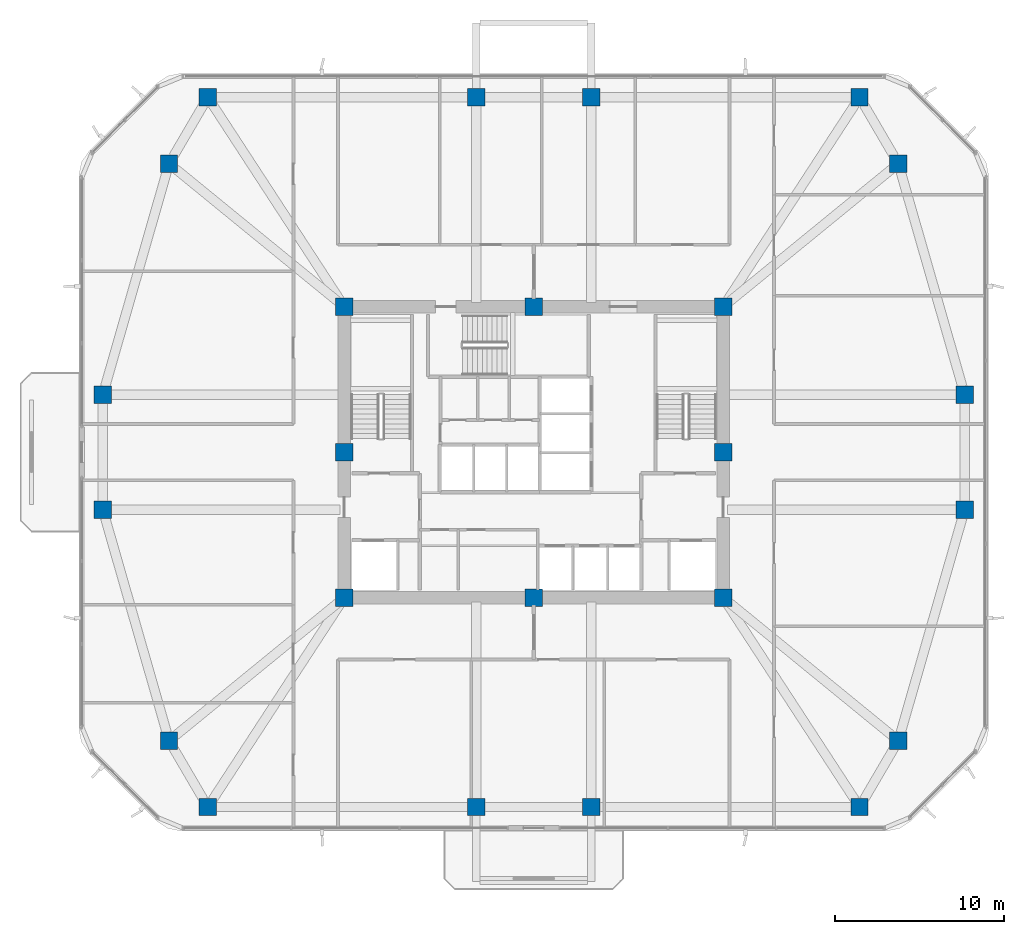
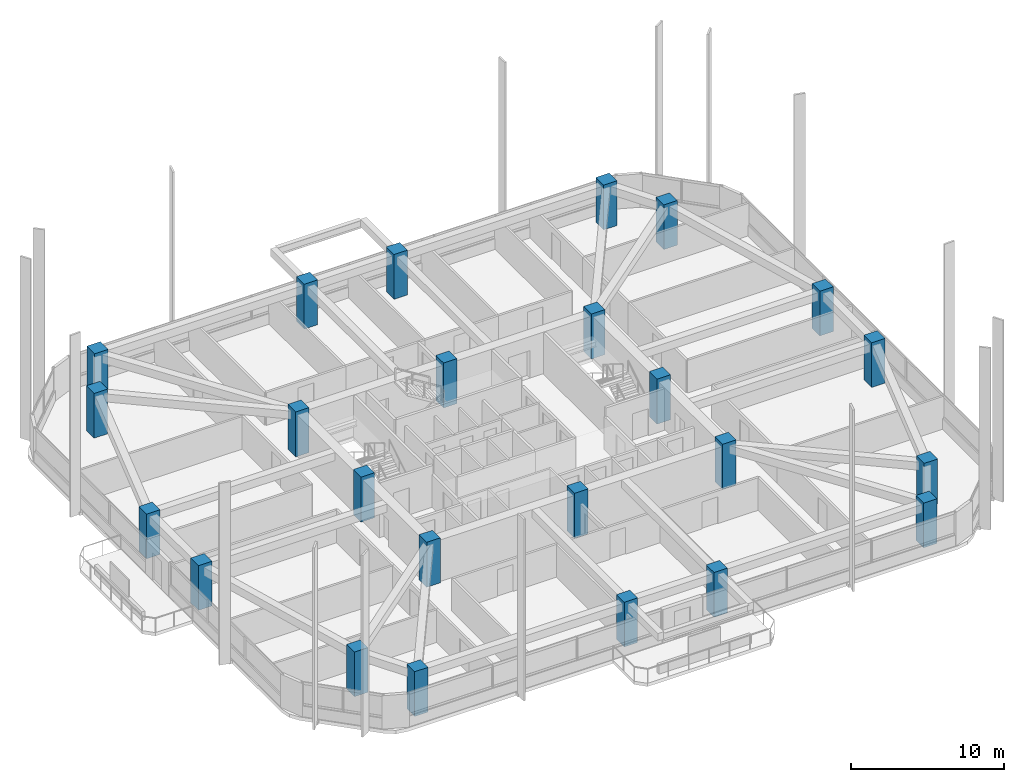
# One storey, part 1 of 15: 24 columns.
"""IFC4 building model written with IfcOpenShell, lengths in metres."""

from ifc_helpers import new_model, si_unit, derived_unit, direction, frame, origin, origin_2d, place, context, subcontext, project, spatial, rectangle, extrude, material, material_profile, profile_set, type_object, element, save


model = new_model("IFC4")

# Units and contexts
model_context = context("Model", 3, precision=1e-05, world=origin(), true_north=direction((0.0, 1.0)))
body_context = subcontext(model_context, "Body", "Model", "MODEL_VIEW")
ifc_project = project(units=[si_unit("LENGTHUNIT", "METRE"), si_unit("AREAUNIT", "SQUARE_METRE"), si_unit("VOLUMEUNIT", "CUBIC_METRE"), si_unit("PLANEANGLEUNIT", "RADIAN"), si_unit("MASSUNIT", "GRAM", prefix="KILO"), derived_unit("THERMALTRANSMITTANCEUNIT", [(si_unit("POWERUNIT", "WATT"), 1), (si_unit("LENGTHUNIT", "METRE"), -2), (si_unit("THERMODYNAMICTEMPERATUREUNIT", "KELVIN"), -1)])], contexts=[model_context])

# Site, building, storey
site_placement = place(None, origin())
site = spatial("IfcSite", under=ifc_project, at=site_placement, CompositionType="ELEMENT")
building_placement = place(site_placement, origin())
building = spatial("IfcBuilding", under=site, at=building_placement, Name="Koralith Skygarden Medical Center", CompositionType="ELEMENT")
storey_placement = place(building_placement, frame((0.0, 0.0, 84.780029296875)))
storey = spatial("IfcBuildingStorey", under=building, at=storey_placement, Name="L21", CompositionType="ELEMENT", Elevation=84.780029296875)

# Columns
ifc_material = material(Name="Concrete C70/85", Category="concrete")
ifc_material_profile_1 = material_profile(ifc_material, rectangle(XDim=1.02001953125, YDim=1.02001953125, at=origin_2d()), Name="RC1020X1020")
ifc_profile_set_1 = profile_set([ifc_material_profile_1], Name="Concrete C70/85")
column_type_1 = type_object("IfcColumnType", Name="Core Mega-Column C70 RC1020", PredefinedType="COLUMN", material=ifc_profile_set_1)
for number, where, z_axis, x_axis, name in (
    (1, (25.800048828125, 17.300048828125, 0.0), (0.0, 0.0, 1.0), (1.0, 0.0, 0.0), "L21 Core Column CC-01"),
    (2, (37.0, 17.300048828125, 0.0), (0.0, 0.0, 1.0), (1.0, 0.0, 0.0), "L21 Core Column CC-02"),
    (3, (48.199951171875, 17.300048828125, 0.0), (0.0, 0.0, 1.0), (1.0, 0.0, 0.0), "L21 Core Column CC-03"),
    (4, (48.199951171875, 25.89990234375, 0.0), (0.0, 0.0, 1.0), (1.0, 0.0, 0.0), "L21 Core Column CC-04"),
    (5, (48.199951171875, 34.5, 0.0), (0.0, 0.0, 1.0), (1.0, 0.0, 0.0), "L21 Core Column CC-05"),
    (6, (37.0, 34.5, 0.0), (0.0, 0.0, 1.0), (1.0, 0.0, 0.0), "L21 Core Column CC-06"),
    (7, (25.800048828125, 34.5, 0.0), (0.0, 0.0, 1.0), (1.0, 0.0, 0.0), "L21 Core Column CC-07"),
    (8, (25.800048828125, 25.89990234375, 0.0), (0.0, 0.0, 1.0), (1.0, 0.0, 0.0), "L21 Core Column CC-08"),
):
    element("IfcColumn", number, at=place(storey_placement, frame(where, z_axis=z_axis, x_axis=x_axis)), inside=storey, type_object=column_type_1, Name=name, PredefinedType="COLUMN", context=body_context, shape_type="SweptSolid", body=[
        extrude(rectangle(XDim=1.02001953125, YDim=1.02001953125, at=origin_2d()), origin(), (0.0, 0.0, 1.0), 3.599853515625),
    ])
ifc_material_profile_2 = material_profile(ifc_material, rectangle(XDim=1.02001953125, YDim=1.02001953125, at=origin_2d()), Name="RC1020X1020")
ifc_profile_set_2 = profile_set([ifc_material_profile_2], Name="Concrete C70/85")
column_type_2 = type_object("IfcColumnType", Name="Zone 2 Waist-In Mega-Column C70 RC1020", PredefinedType="COLUMN", material=ifc_profile_set_2)
column_1_placement = place(storey_placement, frame((11.52001953125, 22.5, 0.0), z_axis=(0.0, 0.0, 1.0), x_axis=(1.0, 0.0, 0.0)))
element("IfcColumn", 9, at=column_1_placement, inside=storey, type_object=column_type_2, Name="L21 Perimeter Mega-Column MC-01", PredefinedType="COLUMN", context=body_context, shape_type="SweptSolid", body=[
    extrude(rectangle(XDim=1.02001953125, YDim=1.02001953125, at=origin_2d()), origin(), (0.0, 0.0, 1.0), 3.578369140625),
])
for number, where, z_axis, x_axis, name in (
    (10, (15.43994140625, 8.840087890625, 0.0), (0.0, 0.0, 1.0), (1.0, 0.0, 0.0), "L21 Perimeter Mega-Column MC-02"),
    (11, (17.73193359375, 4.919921875, 0.0), (0.0, 0.0, 1.0), (1.0, 0.0, 0.0), "L21 Perimeter Mega-Column MC-03"),
):
    element("IfcColumn", number, at=place(storey_placement, frame(where, z_axis=z_axis, x_axis=x_axis)), inside=storey, type_object=column_type_2, Name=name, PredefinedType="COLUMN", context=body_context, shape_type="SweptSolid", body=[
        extrude(rectangle(XDim=1.02001953125, YDim=1.02001953125, at=origin_2d()), origin(), (0.0, 0.0, 1.0), 3.57666015625),
    ])
for number, where, z_axis, x_axis, name in (
    (12, (33.60009765625, 4.919921875, 0.0), (0.0, 0.0, 1.0), (1.0, 0.0, 0.0), "L21 Perimeter Mega-Column MC-04"),
    (13, (40.39990234375, 4.919921875, 0.0), (0.0, 0.0, 1.0), (1.0, 0.0, 0.0), "L21 Perimeter Mega-Column MC-05"),
):
    element("IfcColumn", number, at=place(storey_placement, frame(where, z_axis=z_axis, x_axis=x_axis)), inside=storey, type_object=column_type_2, Name=name, PredefinedType="COLUMN", context=body_context, shape_type="SweptSolid", body=[
        extrude(rectangle(XDim=1.02001953125, YDim=1.02001953125, at=origin_2d()), origin(), (0.0, 0.0, 1.0), 3.578857421875),
    ])
for number, where, z_axis, x_axis, name in (
    (14, (56.26806640625, 4.919921875, 0.0), (0.0, 0.0, 1.0), (1.0, 0.0, 0.0), "L21 Perimeter Mega-Column MC-06"),
    (15, (58.56005859375, 8.840087890625, 0.0), (0.0, 0.0, 1.0), (1.0, 0.0, 0.0), "L21 Perimeter Mega-Column MC-07"),
):
    element("IfcColumn", number, at=place(storey_placement, frame(where, z_axis=z_axis, x_axis=x_axis)), inside=storey, type_object=column_type_2, Name=name, PredefinedType="COLUMN", context=body_context, shape_type="SweptSolid", body=[
        extrude(rectangle(XDim=1.02001953125, YDim=1.02001953125, at=origin_2d()), origin(), (0.0, 0.0, 1.0), 3.57666015625),
    ])
for number, where, z_axis, x_axis, name in (
    (16, (62.47998046875, 22.5, 0.0), (0.0, 0.0, 1.0), (1.0, 0.0, 0.0), "L21 Perimeter Mega-Column MC-08"),
    (17, (62.47998046875, 29.300048828125, 0.0), (0.0, 0.0, 1.0), (1.0, 0.0, 0.0), "L21 Perimeter Mega-Column MC-09"),
):
    element("IfcColumn", number, at=place(storey_placement, frame(where, z_axis=z_axis, x_axis=x_axis)), inside=storey, type_object=column_type_2, Name=name, PredefinedType="COLUMN", context=body_context, shape_type="SweptSolid", body=[
        extrude(rectangle(XDim=1.02001953125, YDim=1.02001953125, at=origin_2d()), origin(), (0.0, 0.0, 1.0), 3.578369140625),
    ])
for number, where, z_axis, x_axis, name in (
    (18, (58.56005859375, 42.9599609375, 0.0), (0.0, 0.0, 1.0), (1.0, 0.0, 0.0), "L21 Perimeter Mega-Column MC-10"),
    (19, (56.26806640625, 46.8798828125, 0.0), (0.0, 0.0, 1.0), (1.0, 0.0, 0.0), "L21 Perimeter Mega-Column MC-11"),
):
    element("IfcColumn", number, at=place(storey_placement, frame(where, z_axis=z_axis, x_axis=x_axis)), inside=storey, type_object=column_type_2, Name=name, PredefinedType="COLUMN", context=body_context, shape_type="SweptSolid", body=[
        extrude(rectangle(XDim=1.02001953125, YDim=1.02001953125, at=origin_2d()), origin(), (0.0, 0.0, 1.0), 3.57666015625),
    ])
for number, where, z_axis, x_axis, name in (
    (20, (40.39990234375, 46.8798828125, 0.0), (0.0, 0.0, 1.0), (1.0, 0.0, 0.0), "L21 Perimeter Mega-Column MC-12"),
    (21, (33.60009765625, 46.8798828125, 0.0), (0.0, 0.0, 1.0), (1.0, 0.0, 0.0), "L21 Perimeter Mega-Column MC-13"),
):
    element("IfcColumn", number, at=place(storey_placement, frame(where, z_axis=z_axis, x_axis=x_axis)), inside=storey, type_object=column_type_2, Name=name, PredefinedType="COLUMN", context=body_context, shape_type="SweptSolid", body=[
        extrude(rectangle(XDim=1.02001953125, YDim=1.02001953125, at=origin_2d()), origin(), (0.0, 0.0, 1.0), 3.578857421875),
    ])
for number, where, z_axis, x_axis, name in (
    (22, (17.73193359375, 46.8798828125, 0.0), (0.0, 0.0, 1.0), (1.0, 0.0, 0.0), "L21 Perimeter Mega-Column MC-14"),
    (23, (15.43994140625, 42.9599609375, 0.0), (0.0, 0.0, 1.0), (1.0, 0.0, 0.0), "L21 Perimeter Mega-Column MC-15"),
):
    element("IfcColumn", number, at=place(storey_placement, frame(where, z_axis=z_axis, x_axis=x_axis)), inside=storey, type_object=column_type_2, Name=name, PredefinedType="COLUMN", context=body_context, shape_type="SweptSolid", body=[
        extrude(rectangle(XDim=1.02001953125, YDim=1.02001953125, at=origin_2d()), origin(), (0.0, 0.0, 1.0), 3.57666015625),
    ])
column_2_placement = place(storey_placement, frame((11.52001953125, 29.300048828125, 0.0), z_axis=(0.0, 0.0, 1.0), x_axis=(1.0, 0.0, 0.0)))
element("IfcColumn", 24, at=column_2_placement, inside=storey, type_object=column_type_2, Name="L21 Perimeter Mega-Column MC-16", PredefinedType="COLUMN", context=body_context, shape_type="SweptSolid", body=[
    extrude(rectangle(XDim=1.02001953125, YDim=1.02001953125, at=origin_2d()), origin(), (0.0, 0.0, 1.0), 3.578369140625),
])

save(model, "model.ifc")
